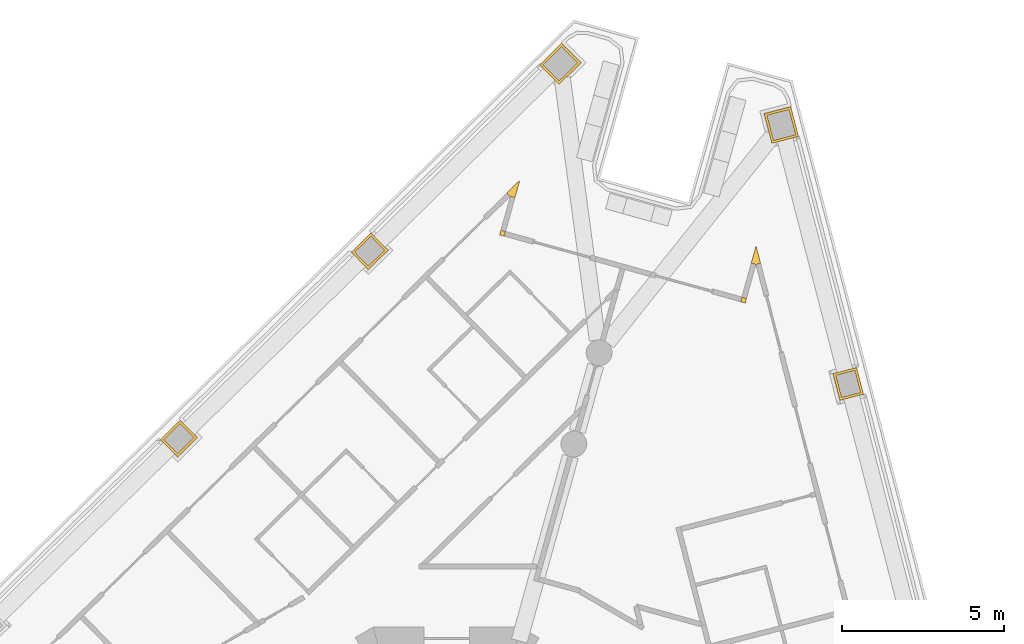
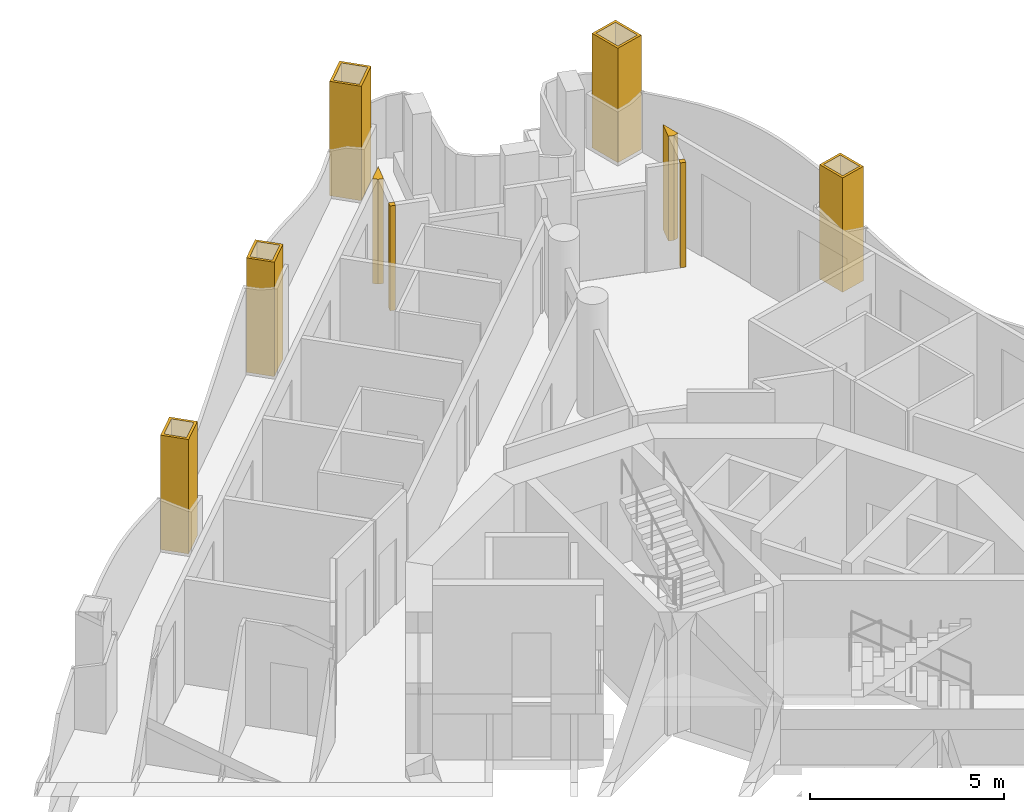
# One storey, part 13 of 14: 9 coverings.
"""IFC4 building model written with IfcOpenShell, lengths in metres."""

from ifc_helpers import new_model, si_unit, direction, frame, origin, place, context, subcontext, project, spatial, polyline, outline, extrude, material, layer, layer_set, type_object, element, save


model = new_model("IFC4")

# Units and contexts
model_context = context("Model", 3, precision=1e-05, world=origin(), true_north=direction((0.0, 1.0)))
body_context = subcontext(model_context, "Body", "Model", "MODEL_VIEW")
ifc_project = project(units=[si_unit("LENGTHUNIT", "METRE"), si_unit("AREAUNIT", "SQUARE_METRE"), si_unit("VOLUMEUNIT", "CUBIC_METRE"), si_unit("PLANEANGLEUNIT", "RADIAN"), si_unit("MASSUNIT", "GRAM", prefix="KILO")], contexts=[model_context])

# Site, building, storey
site_placement = place(None, origin())
site = spatial("IfcSite", under=ifc_project, at=site_placement, CompositionType="ELEMENT")
building_placement = place(site_placement, origin())
building = spatial("IfcBuilding", under=site, at=building_placement, Name="Trine Commons Tower", CompositionType="ELEMENT")
storey_placement = place(building_placement, frame((0.0, 0.0, 242.10009765625)))
storey = spatial("IfcBuildingStorey", under=building, at=storey_placement, Name="L63", CompositionType="ELEMENT", Elevation=242.10009765625)

# Coverings
ifc_material_1 = material(Name="Aluminium-framed insulated wall panel", Category="aluminium")
ifc_layer_1 = layer(ifc_material_1, 0.14990234375)
ifc_layer_set_1 = layer_set([ifc_layer_1], Name="Aluminium-framed insulated wall panel")
covering_type_1 = type_object("IfcCoveringType", Name="Glazing corner post, aluminium", PredefinedType="CLADDING", material=ifc_layer_set_1)
covering_1_placement = place(storey_placement, origin())
element("IfcCovering", 1, at=covering_1_placement, inside=storey, type_object=covering_type_1, Name="Glazing corner post 7-02", PredefinedType="CLADDING", context=body_context, shape_type="SweptSolid", body=[
    extrude(outline(polyline([(82.107177734375, 84.280029296875), (82.256591796875, 84.819580078125), (81.857421875, 84.42724609375), (81.962646484375, 84.3203125), (82.107177734375, 84.280029296875)])), origin(), (0.0, 0.0, 1.0), 3.2998046875),
])
covering_2_placement = place(storey_placement, origin())
element("IfcCovering", 2, at=covering_2_placement, inside=storey, type_object=covering_type_1, Name="Glazing corner post 7-03", PredefinedType="CLADDING", context=body_context, shape_type="SweptSolid", body=[
    extrude(outline(polyline([(81.77685546875, 83.08935546875), (81.81689453125, 83.23388671875), (81.67236328125, 83.27392578125), (81.63232421875, 83.12939453125), (81.77685546875, 83.08935546875)])), origin(), (0.0, 0.0, 1.0), 3.2998046875),
])
covering_3_placement = place(storey_placement, origin())
element("IfcCovering", 3, at=covering_3_placement, inside=storey, type_object=covering_type_1, Name="Glazing corner post 7-04", PredefinedType="CLADDING", context=body_context, shape_type="SweptSolid", body=[
    extrude(outline(polyline([(89.081298828125, 81.063720703125), (89.225830078125, 81.023681640625), (89.265869140625, 81.168212890625), (89.121337890625, 81.208251953125), (89.081298828125, 81.063720703125)])), origin(), (0.0, 0.0, 1.0), 3.2998046875),
])
covering_4_placement = place(storey_placement, origin())
element("IfcCovering", 4, at=covering_4_placement, inside=storey, type_object=covering_type_1, Name="Glazing corner post 7-05", PredefinedType="CLADDING", context=body_context, shape_type="SweptSolid", body=[
    extrude(outline(polyline([(89.411376953125, 82.25439453125), (89.555908203125, 82.21435546875), (89.701171875, 82.251953125), (89.56103515625, 82.7939453125), (89.411376953125, 82.25439453125)])), origin(), (0.0, 0.0, 1.0), 3.2998046875),
])
ifc_material_2 = material(Name="Limestone, honed", Category="masonry")
ifc_layer_2 = layer(ifc_material_2, 0.074951171875)
ifc_layer_set_2 = layer_set([ifc_layer_2], Name="Limestone, honed")
covering_type_2 = type_object("IfcCoveringType", Name="Limestone column cladding 75", PredefinedType="CLADDING", material=ifc_layer_set_2)
covering_5_placement = place(storey_placement, origin())
element("IfcCovering", 5, at=covering_5_placement, inside=storey, type_object=covering_type_2, Name="Limestone pier cladding 7-10", PredefinedType="CLADDING", context=body_context, shape_type="SweptSolid", body=[
    extrude(outline(polyline([(72.281005859375, 76.860107421875), (71.755126953125, 77.39501953125), (71.14892578125, 76.79931640625), (71.674560546875, 76.26416015625), (72.281005859375, 76.860107421875)]), holes=[polyline([(72.1748046875, 76.86083984375), (71.75439453125, 77.288818359375), (71.2548828125, 76.79833984375), (71.675537109375, 76.370361328125), (72.1748046875, 76.86083984375)])]), origin(), (0.0, 0.0, 1.0), 3.599853515625),
])
covering_6_placement = place(storey_placement, origin())
element("IfcCovering", 6, at=covering_6_placement, inside=storey, type_object=covering_type_2, Name="Limestone pier cladding 7-11", PredefinedType="CLADDING", context=body_context, shape_type="SweptSolid", body=[
    extrude(outline(polyline([(78.178466796875, 82.655517578125), (77.65283203125, 83.190673828125), (77.04638671875, 82.5947265625), (77.572265625, 82.059814453125), (78.178466796875, 82.655517578125)]), holes=[polyline([(78.072509765625, 82.656494140625), (77.65185546875, 83.08447265625), (77.152587890625, 82.593994140625), (77.572998046875, 82.166015625), (78.072509765625, 82.656494140625)])]), origin(), (0.0, 0.0, 1.0), 3.599853515625),
])
covering_7_placement = place(storey_placement, origin())
element("IfcCovering", 7, at=covering_7_placement, inside=storey, type_object=covering_type_2, Name="Limestone pier cladding 7-12", PredefinedType="CLADDING", context=body_context, shape_type="SweptSolid", body=[
    extrude(outline(polyline([(84.14697265625, 88.45068359375), (83.551025390625, 89.056884765625), (82.87353515625, 88.39111328125), (83.46923828125, 87.78466796875), (84.14697265625, 88.45068359375)]), holes=[polyline([(84.040771484375, 88.451416015625), (83.55029296875, 88.95068359375), (82.9794921875, 88.39013671875), (83.47021484375, 87.890869140625), (84.040771484375, 88.451416015625)])]), origin(), (0.0, 0.0, 1.0), 3.599853515625),
])
covering_8_placement = place(storey_placement, origin())
element("IfcCovering", 8, at=covering_8_placement, inside=storey, type_object=covering_type_2, Name="Limestone pier cladding 7-13", PredefinedType="CLADDING", context=body_context, shape_type="SweptSolid", body=[
    extrude(outline(polyline([(90.6337890625, 87.0927734375), (89.81103515625, 86.8798828125), (90.048828125, 85.960205078125), (90.871826171875, 86.1728515625), (90.6337890625, 87.0927734375)]), holes=[polyline([(90.580078125, 87.001220703125), (89.90234375, 86.825927734375), (90.102783203125, 86.051513671875), (90.780517578125, 86.226806640625), (90.580078125, 87.001220703125)])]), origin(), (0.0, 0.0, 1.0), 3.599853515625),
])
covering_9_placement = place(storey_placement, origin())
element("IfcCovering", 9, at=covering_9_placement, inside=storey, type_object=covering_type_2, Name="Limestone pier cladding 7-14", PredefinedType="CLADDING", context=body_context, shape_type="SweptSolid", body=[
    extrude(outline(polyline([(92.668212890625, 79.0263671875), (91.942138671875, 78.838623046875), (92.155029296875, 78.015625), (92.881103515625, 78.203369140625), (92.668212890625, 79.0263671875)]), holes=[polyline([(92.614501953125, 78.93505859375), (92.03369140625, 78.78466796875), (92.208984375, 78.10693359375), (92.789794921875, 78.25732421875), (92.614501953125, 78.93505859375)])]), origin(), (0.0, 0.0, 1.0), 3.599853515625),
])

save(model, "model.ifc")
